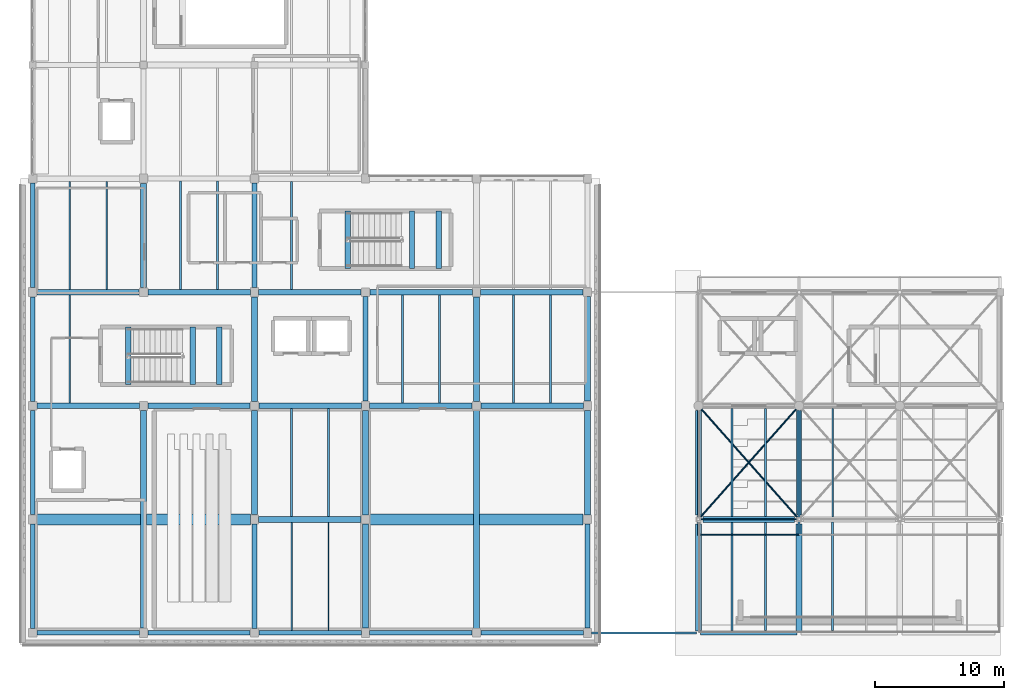
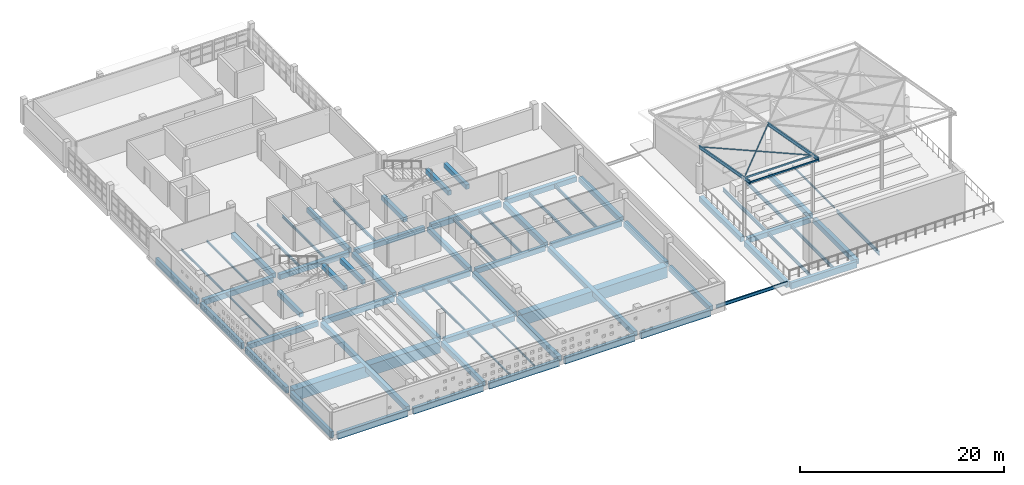
# One storey, part 5 of 34: 69 beams, 6 members.
"""IFC4 building model written with IfcOpenShell, lengths in metres."""

import ifcopenshell
import ifcopenshell.guid

model = None  # the IFC model being written
_history = None  # IfcOwnerHistory: only IFC2X3 demands one
_inside = {}  # id of a spatial element -> (the spatial element, [elements in it])
_under = {}  # id of a project, library or spatial element -> (it, [spatial elements below it])
_declared = {}  # id of a project -> (the project, [libraries it declares])
_typed = {}  # id of a type object -> (the type object, [elements of that type])
_made_of = {}  # id of a material, layer set ... -> (it, [elements and type objects made of it])


def new_model(schema):
    """Start an empty IFC model of exactly this schema.

    Asked for "IFC4X3", IfcOpenShell would pick the latest addendum, in which some entities
    have other attributes; the version numbers below select the first issue.
    IFC2X3 requires an IfcOwnerHistory on every rooted entity: one is made here for all.
    """
    global model, _history
    if schema == "IFC4X3":
        model = ifcopenshell.file(schema_version=(4, 3, 0, 0))
    else:
        model = ifcopenshell.file(schema=schema)
    _inside.clear()
    _under.clear()
    _declared.clear()
    _typed.clear()
    _made_of.clear()
    _history = None
    if model.schema == "IFC2X3":
        org = make("IfcOrganization", Name="unknown")
        user = make(
            "IfcPersonAndOrganization",
            ThePerson=make("IfcPerson", FamilyName="unknown"),
            TheOrganization=org,
        )
        app = make(
            "IfcApplication",
            ApplicationDeveloper=org,
            Version="unknown",
            ApplicationFullName="unknown",
            ApplicationIdentifier="unknown",
        )
        _history = make(
            "IfcOwnerHistory",
            OwningUser=user,
            OwningApplication=app,
            ChangeAction="ADDED",
            CreationDate=0,
        )
    return model


def make(cls, **values):
    """One entity of the class cls with the attributes given. An attribute that is None is left unset."""
    return model.create_entity(
        cls, **{name: value for name, value in values.items() if value is not None}
    )


def rooted(cls, **values):
    """An entity with a GlobalId (a new one), such as an element, a storey or a relation."""
    return make(cls, GlobalId=ifcopenshell.guid.new(), OwnerHistory=_history, **values)


def si_unit(unit_type, name, prefix=None):
    """IfcSIUnit, for example si_unit("LENGTHUNIT", "METRE", prefix="MILLI")."""
    return make("IfcSIUnit", UnitType=unit_type, Prefix=prefix, Name=name)


def assignment(units):
    """IfcUnitAssignment: the units of a project."""
    return None if units is None else make("IfcUnitAssignment", Units=units)


def point(xyz):
    """IfcCartesianPoint."""
    return None if xyz is None else make("IfcCartesianPoint", Coordinates=xyz)


def direction(xyz):
    """IfcDirection."""
    return None if xyz is None else make("IfcDirection", DirectionRatios=xyz)


def frame(location, z_axis=None, x_axis=None):
    """IfcAxis2Placement3D, a coordinate frame: its origin and axes. An axis left out is left unset."""
    return make(
        "IfcAxis2Placement3D",
        Location=point(location),
        Axis=direction(z_axis),
        RefDirection=direction(x_axis),
    )


def frame_2d(location, x_axis=None):
    """IfcAxis2Placement2D, a coordinate frame in the plane: its origin and x axis."""
    return make(
        "IfcAxis2Placement2D", Location=point(location), RefDirection=direction(x_axis)
    )


def origin():
    """The frame at (0, 0, 0) with its axes left unset."""
    return frame((0.0, 0.0, 0.0))


def origin_2d():
    """The frame at (0, 0) in the plane with its x axis left unset."""
    return frame_2d((0.0, 0.0))


def place(relative_to, where):
    """IfcLocalPlacement: puts the frame where relative to a parent placement (None: the world)."""
    return make(
        "IfcLocalPlacement", PlacementRelTo=relative_to, RelativePlacement=where
    )


def context(
    kind, dimensions, precision=None, world=None, true_north=None, identifier=None
):
    """IfcGeometricRepresentationContext, for example the 3D "Model" context."""
    return make(
        "IfcGeometricRepresentationContext",
        ContextIdentifier=identifier,
        ContextType=kind,
        CoordinateSpaceDimension=dimensions,
        Precision=precision,
        WorldCoordinateSystem=world,
        TrueNorth=true_north,
    )


def subcontext(parent, identifier, kind, view, scale=None):
    """IfcGeometricRepresentationSubContext, for example "Body" below "Model"."""
    return make(
        "IfcGeometricRepresentationSubContext",
        ContextIdentifier=identifier,
        ContextType=kind,
        ParentContext=parent,
        TargetScale=scale,
        TargetView=view,
    )


def project(units=None, contexts=None):
    """IfcProject with its units and contexts."""
    return rooted(
        "IfcProject",
        Name="project",
        RepresentationContexts=contexts,
        UnitsInContext=assignment(units),
    )


def spatial(cls, under=None, at=None, **own):
    """A site, building, storey or space (cls), placed at a placement, below another one or the project."""
    s = rooted(cls, ObjectPlacement=at, **own)
    if under is not None:
        _under.setdefault(under.id(), (under, []))[1].append(s)
    return s


def profile(cls, at=None, kind="AREA", **sizes):
    """A parametric profile (cls). Its sizes go by their IFC names, for example OverallWidth=200.0."""
    return make(cls, ProfileType=kind, Position=at, **sizes)


def rectangle(**sizes):
    """IfcRectangleProfileDef."""
    return profile("IfcRectangleProfileDef", **sizes)


def hollow_rectangle(**sizes):
    """IfcRectangleHollowProfileDef."""
    return profile("IfcRectangleHollowProfileDef", **sizes)


def hollow_circle(**sizes):
    """IfcCircleHollowProfileDef."""
    return profile("IfcCircleHollowProfileDef", **sizes)


def i_section(**sizes):
    """IfcIShapeProfileDef."""
    return profile("IfcIShapeProfileDef", **sizes)


def extrude(swept, where, along, depth):
    """IfcExtrudedAreaSolid: the profile swept, set in the frame where, extruded along a direction by depth."""
    return make(
        "IfcExtrudedAreaSolid",
        SweptArea=swept,
        Position=where,
        ExtrudedDirection=direction(along),
        Depth=depth,
    )


def shape(context_of_items, identifier, shape_type, items):
    """IfcShapeRepresentation: the items that make up one representation, for example the "Body"."""
    return make(
        "IfcShapeRepresentation",
        ContextOfItems=context_of_items,
        RepresentationIdentifier=identifier,
        RepresentationType=shape_type,
        Items=items,
    )


def material(Name=None, Category=None):
    """IfcMaterial."""
    return make("IfcMaterial", Name=Name, Category=Category)


def material_profile(
    of_material, cross_section, Name=None, Category=None, Priority=None
):
    """IfcMaterialProfile: a cross section and its material."""
    return make(
        "IfcMaterialProfile",
        Name=Name,
        Material=of_material,
        Profile=cross_section,
        Priority=Priority,
        Category=Category,
    )


def profile_set(profiles, Name=None, composite=None):
    """IfcMaterialProfileSet."""
    return make(
        "IfcMaterialProfileSet",
        Name=Name,
        MaterialProfiles=profiles,
        CompositeProfile=composite,
    )


def made_of(thing, what):
    """Note that an element or type object is made of a material, layer set ...; save() writes the relation."""
    if what is not None:
        _made_of.setdefault(what.id(), (what, []))[1].append(thing)
    return thing


def type_object(cls, material=None, **own):
    """A type object (cls), such as IfcWallType, which elements share."""
    return made_of(rooted(cls, **own), material)


def element(
    cls,
    number,
    at=None,
    inside=None,
    cuts=None,
    type_object=None,
    material=None,
    context=None,
    identifier="Body",
    shape_type=None,
    held_by="IfcProductDefinitionShape",
    body=None,
    shapes=None,
    **own,
):
    """One element of the class cls, such as IfcWall. Its Tag is "e" and its number.

    at: its placement. inside: the storey or other place that contains it. cuts: it is an
    opening in that element (IfcRelVoidsElement). A single representation is given by context,
    identifier, shape_type and body (its items); several are given by shapes. held_by: the class
    of the entity that holds the representations. save() writes the other relations.
    """
    e = rooted(cls, Tag="e%d" % number, ObjectPlacement=at, **own)
    if body is not None:
        shapes = [shape(context, identifier, shape_type, body)]
    if shapes is not None:
        e.Representation = make(held_by, Representations=shapes)
    if inside is not None:
        _inside.setdefault(inside.id(), (inside, []))[1].append(e)
    if cuts is not None:
        rooted(
            "IfcRelVoidsElement", RelatingBuildingElement=cuts, RelatedOpeningElement=e
        )
    if type_object is not None:
        _typed.setdefault(type_object.id(), (type_object, []))[1].append(e)
    return made_of(e, material)


def aggregate(whole, parts):
    """IfcRelAggregates: a whole, such as a stair, and the parts it consists of."""
    return rooted("IfcRelAggregates", RelatingObject=whole, RelatedObjects=parts)


def save(model, path):
    """Write the relations noted so far, then the file.

    IfcRelAggregates (storeys below a building ...), IfcRelContainedInSpatialStructure (elements
    in a storey), IfcRelDefinesByType, IfcRelAssociatesMaterial and IfcRelDeclares: one each for
    every whole, place, type object, material and project.
    """
    for whole, parts in _under.values():
        aggregate(whole, parts)
    for where, things in _inside.values():
        rooted(
            "IfcRelContainedInSpatialStructure",
            RelatedElements=things,
            RelatingStructure=where,
        )
    for kind, things in _typed.values():
        rooted("IfcRelDefinesByType", RelatedObjects=things, RelatingType=kind)
    for what, things in _made_of.values():
        rooted("IfcRelAssociatesMaterial", RelatedObjects=things, RelatingMaterial=what)
    for by, libraries in _declared.values():
        rooted("IfcRelDeclares", RelatingContext=by, RelatedDefinitions=libraries)
    model.write(path)


model = new_model("IFC4")

# Units and contexts
model_context = context("Model", 3, precision=1e-05, world=origin(), true_north=direction((0.0, 1.0)))
body_context = subcontext(model_context, "Body", "Model", "MODEL_VIEW")
ifc_project = project(units=[si_unit("LENGTHUNIT", "METRE"), si_unit("AREAUNIT", "SQUARE_METRE"), si_unit("VOLUMEUNIT", "CUBIC_METRE"), si_unit("PLANEANGLEUNIT", "RADIAN"), si_unit("MASSUNIT", "GRAM", prefix="KILO")], contexts=[model_context])

# Site, building, storey
site_placement = place(None, origin())
site = spatial("IfcSite", under=ifc_project, at=site_placement, CompositionType="ELEMENT")
building_placement = place(site_placement, origin())
building = spatial("IfcBuilding", under=site, at=building_placement, Name="Varnakota Cinema and Media Centre", CompositionType="ELEMENT")
storey_placement = place(building_placement, frame((0.0, 0.0, 19.050048828125)))
storey = spatial("IfcBuildingStorey", under=building, at=storey_placement, Name="L05", CompositionType="ELEMENT", Elevation=19.050048828125)

# Beams
ifc_material_1 = material(Name="Concrete M35", Category="concrete")
ifc_material_profile_1 = material_profile(ifc_material_1, rectangle(XDim=0.39990234375, YDim=0.550048828125, at=origin_2d()), Name="RCB 400x550")
ifc_profile_set_1 = profile_set([ifc_material_profile_1], Name="Concrete M35")
beam_type_1 = type_object("IfcBeamType", Name="BM-RC-400x550", PredefinedType="BEAM", material=ifc_profile_set_1)
for number, where, z_axis, x_axis, name in (
    (1, (12.40966796875, 19.25, 1.175048828125), (0.0, 1.0, 0.0), (-1.0, 0.0, 0.0), "L05 ST-01 landing support beam 1"),
    (2, (14.470458984375, 19.25, 1.175048828125), (0.0, 1.0, 0.0), (-1.0, 0.0, 0.0), "L05 ST-01 landing support beam 2"),
    (3, (29.40966796875, 28.25, 1.175048828125), (0.0, 1.0, 0.0), (-1.0, 0.0, 0.0), "L05 ST-02 landing support beam 1"),
    (4, (31.470458984375, 28.25, 1.175048828125), (0.0, 1.0, 0.0), (-1.0, 0.0, 0.0), "L05 ST-02 landing support beam 2"),
):
    element("IfcBeam", number, at=place(storey_placement, frame(where, z_axis=z_axis, x_axis=x_axis)), inside=storey, type_object=beam_type_1, Name=name, PredefinedType="BEAM", context=body_context, shape_type="SweptSolid", body=[
        extrude(rectangle(XDim=0.39990234375, YDim=0.550048828125, at=origin_2d()), origin(), (0.0, 0.0, 1.0), 4.449951171875),
    ])
ifc_material_2 = material(Name="Concrete M35", Category="concrete")
ifc_material_profile_2 = material_profile(ifc_material_2, rectangle(XDim=0.39990234375, YDim=0.60009765625, at=origin_2d()), Name="RCB 400x600")
ifc_profile_set_2 = profile_set([ifc_material_profile_2], Name="Concrete M35")
beam_type_2 = type_object("IfcBeamType", Name="BM-RC-400x600", PredefinedType="BEAM", material=ifc_profile_set_2)
beam_1_placement = place(storey_placement, frame((0.35009765625, 17.60009765625, -0.550048828125), z_axis=(1.0, 0.0, 0.0), x_axis=(0.0, 1.0, 0.0)))
element("IfcBeam", 5, at=beam_1_placement, inside=storey, type_object=beam_type_2, Name="L05 girder A-B/3", PredefinedType="BEAM", context=body_context, shape_type="SweptSolid", body=[
    extrude(rectangle(XDim=0.39990234375, YDim=0.60009765625, at=origin_2d()), origin(), (0.0, 0.0, 1.0), 7.9248046875),
])
for number, where, z_axis, x_axis, name in (
    (6, (26.125, 17.60009765625, -0.550048828125), (1.0, 0.0, 0.0), (0.0, 1.0, 0.0), "L05 girder D-E/3"),
    (7, (17.52490234375, 26.39990234375, -0.550048828125), (1.0, 0.0, 0.0), (0.0, 1.0, 0.0), "L05 girder C-D/4"),
):
    element("IfcBeam", number, at=place(storey_placement, frame(where, z_axis=z_axis, x_axis=x_axis)), inside=storey, type_object=beam_type_2, Name=name, PredefinedType="BEAM", context=body_context, shape_type="SweptSolid", body=[
        extrude(rectangle(XDim=0.39990234375, YDim=0.60009765625, at=origin_2d()), origin(), (0.0, 0.0, 1.0), 7.925048828125),
    ])
beam_2_placement = place(storey_placement, frame((17.199951171875, 0.35009765625, -0.550048828125), z_axis=(0.0, 1.0, 0.0), x_axis=(-1.0, 0.0, 0.0)))
element("IfcBeam", 8, at=beam_2_placement, inside=storey, type_object=beam_type_2, Name="L05 girder C/1-2", PredefinedType="BEAM", context=body_context, shape_type="SweptSolid", body=[
    extrude(rectangle(XDim=0.39990234375, YDim=0.60009765625, at=origin_2d()), origin(), (0.0, 0.0, 1.0), 8.074951171875),
])
beam_3_placement = place(storey_placement, frame((17.199951171875, 26.77490234375, -0.550048828125), z_axis=(0.0, 1.0, 0.0), x_axis=(-1.0, 0.0, 0.0)))
element("IfcBeam", 9, at=beam_3_placement, inside=storey, type_object=beam_type_2, Name="L05 girder C/4-5", PredefinedType="BEAM", context=body_context, shape_type="SweptSolid", body=[
    extrude(rectangle(XDim=0.39990234375, YDim=0.60009765625, at=origin_2d()), origin(), (0.0, 0.0, 1.0), 8.0751953125),
])
for number, where, z_axis, x_axis, name in (
    (10, (25.800048828125, 17.97509765625, -0.550048828125), (0.0, 1.0, 0.0), (-1.0, 0.0, 0.0), "L05 girder D/3-4"),
    (11, (43.0, 0.375, -0.550048828125), (0.0, 1.0, 0.0), (-1.0, 0.0, 0.0), "L05 girder F/1-2"),
):
    element("IfcBeam", number, at=place(storey_placement, frame(where, z_axis=z_axis, x_axis=x_axis)), inside=storey, type_object=beam_type_2, Name=name, PredefinedType="BEAM", context=body_context, shape_type="SweptSolid", body=[
        extrude(rectangle(XDim=0.39990234375, YDim=0.60009765625, at=origin_2d()), origin(), (0.0, 0.0, 1.0), 8.074951171875),
    ])
beam_4_placement = place(storey_placement, frame((59.39990234375, 9.14990234375, -0.550048828125), z_axis=(0.0, 1.0, 0.0), x_axis=(-1.0, 0.0, 0.0)))
element("IfcBeam", 12, at=beam_4_placement, inside=storey, type_object=beam_type_2, Name="L05 girder H/2-3", PredefinedType="BEAM", context=body_context, shape_type="SweptSolid", body=[
    extrude(rectangle(XDim=0.39990234375, YDim=0.60009765625, at=origin_2d()), origin(), (0.0, 0.0, 1.0), 8.10009765625),
])
ifc_material_3 = material(Name="Concrete M40", Category="concrete")
ifc_material_profile_3 = material_profile(ifc_material_3, rectangle(XDim=0.449951171875, YDim=0.550048828125, at=origin_2d()), Name="RCB 450x550")
ifc_profile_set_3 = profile_set([ifc_material_profile_3], Name="Concrete M40")
beam_type_3 = type_object("IfcBeamType", Name="BM-RC-450x550", PredefinedType="BEAM", material=ifc_profile_set_3)
for number, where, z_axis, x_axis, name in (
    (13, (7.419921875, 19.25, -0.275146484375), (0.0, 1.0, 0.0), (-1.0, 0.0, 0.0), "L05 ST-01 stair arrival trimmer beam"),
    (14, (24.419921875, 28.25, -0.275146484375), (0.0, 1.0, 0.0), (-1.0, 0.0, 0.0), "L05 ST-02 stair arrival trimmer beam"),
):
    element("IfcBeam", number, at=place(storey_placement, frame(where, z_axis=z_axis, x_axis=x_axis)), inside=storey, type_object=beam_type_3, Name=name, PredefinedType="BEAM", context=body_context, shape_type="SweptSolid", body=[
        extrude(rectangle(XDim=0.449951171875, YDim=0.550048828125, at=origin_2d()), origin(), (0.0, 0.0, 1.0), 4.449951171875),
    ])
ifc_material_4 = material(Name="Concrete M35", Category="concrete")
ifc_material_profile_4 = material_profile(ifc_material_4, rectangle(XDim=0.449951171875, YDim=0.60009765625, at=origin_2d()), Name="RCB 450x600")
ifc_profile_set_4 = profile_set([ifc_material_profile_4], Name="Concrete M35")
beam_type_4 = type_object("IfcBeamType", Name="BM-RC-450x600", PredefinedType="BEAM", material=ifc_profile_set_4)
beam_5_placement = place(storey_placement, frame((51.949951171875, 8.800048828125, -0.550048828125), z_axis=(1.0, 0.0, 0.0), x_axis=(0.0, 1.0, 0.0)))
element("IfcBeam", 15, at=beam_5_placement, inside=storey, type_object=beam_type_4, Name="L05 girder G-H/2", PredefinedType="BEAM", context=body_context, shape_type="SweptSolid", body=[
    extrude(rectangle(XDim=0.449951171875, YDim=0.60009765625, at=origin_2d()), origin(), (0.0, 0.0, 1.0), 7.10009765625),
])
for number, where, z_axis, x_axis, name in (
    (16, (17.550048828125, 17.60009765625, -0.550048828125), (1.0, 0.0, 0.0), (0.0, 1.0, 0.0), "L05 girder C-D/3"),
    (17, (8.949951171875, 26.39990234375, -0.550048828125), (1.0, 0.0, 0.0), (0.0, 1.0, 0.0), "L05 girder B-C/4"),
):
    element("IfcBeam", number, at=place(storey_placement, frame(where, z_axis=z_axis, x_axis=x_axis)), inside=storey, type_object=beam_type_4, Name=name, PredefinedType="BEAM", context=body_context, shape_type="SweptSolid", body=[
        extrude(rectangle(XDim=0.449951171875, YDim=0.60009765625, at=origin_2d()), origin(), (0.0, 0.0, 1.0), 7.925048828125),
    ])
beam_6_placement = place(storey_placement, frame((34.72509765625, 26.39990234375, -0.550048828125), z_axis=(1.0, 0.0, 0.0), x_axis=(0.0, 1.0, 0.0)))
element("IfcBeam", 18, at=beam_6_placement, inside=storey, type_object=beam_type_4, Name="L05 girder E-F/4", PredefinedType="BEAM", context=body_context, shape_type="SweptSolid", body=[
    extrude(rectangle(XDim=0.449951171875, YDim=0.60009765625, at=origin_2d()), origin(), (0.0, 0.0, 1.0), 7.9248046875),
])
beam_7_placement = place(storey_placement, frame((8.60009765625, 0.375, -0.550048828125), z_axis=(0.0, 1.0, 0.0), x_axis=(-1.0, 0.0, 0.0)))
element("IfcBeam", 19, at=beam_7_placement, inside=storey, type_object=beam_type_4, Name="L05 girder B/1-3", PredefinedType="BEAM", context=body_context, shape_type="SweptSolid", body=[
    extrude(rectangle(XDim=0.449951171875, YDim=0.60009765625, at=origin_2d()), origin(), (0.0, 0.0, 1.0), 16.85009765625),
])
for number, where, z_axis, x_axis, name in (
    (20, (8.60009765625, 26.75, -0.550048828125), (0.0, 1.0, 0.0), (-1.0, 0.0, 0.0), "L05 girder B/4-5"),
    (21, (17.199951171875, 17.949951171875, -0.550048828125), (0.0, 1.0, 0.0), (-1.0, 0.0, 0.0), "L05 girder C/3-4"),
):
    element("IfcBeam", number, at=place(storey_placement, frame(where, z_axis=z_axis, x_axis=x_axis)), inside=storey, type_object=beam_type_4, Name=name, PredefinedType="BEAM", context=body_context, shape_type="SweptSolid", body=[
        extrude(rectangle(XDim=0.449951171875, YDim=0.60009765625, at=origin_2d()), origin(), (0.0, 0.0, 1.0), 8.074951171875),
    ])
beam_8_placement = place(storey_placement, frame((25.800048828125, 9.14990234375, -0.550048828125), z_axis=(0.0, 1.0, 0.0), x_axis=(-1.0, 0.0, 0.0)))
element("IfcBeam", 22, at=beam_8_placement, inside=storey, type_object=beam_type_4, Name="L05 girder D/2-3", PredefinedType="BEAM", context=body_context, shape_type="SweptSolid", body=[
    extrude(rectangle(XDim=0.449951171875, YDim=0.60009765625, at=origin_2d()), origin(), (0.0, 0.0, 1.0), 8.0751953125),
])
beam_9_placement = place(storey_placement, frame((34.39990234375, 0.35009765625, -0.550048828125), z_axis=(0.0, 1.0, 0.0), x_axis=(-1.0, 0.0, 0.0)))
element("IfcBeam", 23, at=beam_9_placement, inside=storey, type_object=beam_type_4, Name="L05 girder E/1-3", PredefinedType="BEAM", context=body_context, shape_type="SweptSolid", body=[
    extrude(rectangle(XDim=0.449951171875, YDim=0.60009765625, at=origin_2d()), origin(), (0.0, 0.0, 1.0), 16.89990234375),
])
beam_10_placement = place(storey_placement, frame((43.0, 17.97509765625, -0.550048828125), z_axis=(0.0, 1.0, 0.0), x_axis=(-1.0, 0.0, 0.0)))
element("IfcBeam", 24, at=beam_10_placement, inside=storey, type_object=beam_type_4, Name="L05 girder F/3-4", PredefinedType="BEAM", context=body_context, shape_type="SweptSolid", body=[
    extrude(rectangle(XDim=0.449951171875, YDim=0.60009765625, at=origin_2d()), origin(), (0.0, 0.0, 1.0), 8.074951171875),
])
beam_11_placement = place(storey_placement, frame((51.60009765625, 9.14990234375, -0.550048828125), z_axis=(0.0, 1.0, 0.0), x_axis=(-1.0, 0.0, 0.0)))
element("IfcBeam", 25, at=beam_11_placement, inside=storey, type_object=beam_type_4, Name="L05 girder G/2-3", PredefinedType="BEAM", context=body_context, shape_type="SweptSolid", body=[
    extrude(rectangle(XDim=0.449951171875, YDim=0.60009765625, at=origin_2d()), origin(), (0.0, 0.0, 1.0), 8.10009765625),
])
beam_12_placement = place(storey_placement, frame((59.39990234375, 0.162109375, -0.550048828125), z_axis=(0.0, 1.0, 0.0), x_axis=(-1.0, 0.0, 0.0)))
element("IfcBeam", 26, at=beam_12_placement, inside=storey, type_object=beam_type_4, Name="L05 girder H/1-2", PredefinedType="BEAM", context=body_context, shape_type="SweptSolid", body=[
    extrude(rectangle(XDim=0.449951171875, YDim=0.60009765625, at=origin_2d()), origin(), (0.0, 0.0, 1.0), 8.287841796875),
])
ifc_material_5 = material(Name="Concrete M35", Category="concrete")
ifc_material_profile_5 = material_profile(ifc_material_5, rectangle(XDim=0.449951171875, YDim=0.64990234375, at=origin_2d()), Name="RCB 450x650")
ifc_profile_set_5 = profile_set([ifc_material_profile_5], Name="Concrete M35")
beam_type_5 = type_object("IfcBeamType", Name="BM-RC-450x650", PredefinedType="BEAM", material=ifc_profile_set_5)
for number, where, z_axis, x_axis, name in (
    (27, (17.52490234375, 8.800048828125, -0.574951171875), (1.0, 0.0, 0.0), (0.0, 1.0, 0.0), "L05 girder C-D/2"),
    (28, (8.925048828125, 17.60009765625, -0.574951171875), (1.0, 0.0, 0.0), (0.0, 1.0, 0.0), "L05 girder B-C/3"),
    (29, (34.75, 17.60009765625, -0.574951171875), (1.0, 0.0, 0.0), (0.0, 1.0, 0.0), "L05 girder E-F/3"),
    (30, (0.324951171875, 26.39990234375, -0.574951171875), (1.0, 0.0, 0.0), (0.0, 1.0, 0.0), "L05 girder A-B/4"),
    (31, (26.14990234375, 26.39990234375, -0.574951171875), (1.0, 0.0, 0.0), (0.0, 1.0, 0.0), "L05 girder D-E/4"),
):
    element("IfcBeam", number, at=place(storey_placement, frame(where, z_axis=z_axis, x_axis=x_axis)), inside=storey, type_object=beam_type_5, Name=name, PredefinedType="BEAM", context=body_context, shape_type="SweptSolid", body=[
        extrude(rectangle(XDim=0.449951171875, YDim=0.64990234375, at=origin_2d()), origin(), (0.0, 0.0, 1.0), 7.925048828125),
    ])
for number, where, z_axis, x_axis, name in (
    (32, (17.199951171875, 9.175048828125, -0.574951171875), (0.0, 1.0, 0.0), (-1.0, 0.0, 0.0), "L05 girder C/2-3"),
    (33, (25.800048828125, 0.375, -0.574951171875), (0.0, 1.0, 0.0), (-1.0, 0.0, 0.0), "L05 girder D/1-2"),
    (34, (34.39990234375, 17.949951171875, -0.574951171875), (0.0, 1.0, 0.0), (-1.0, 0.0, 0.0), "L05 girder E/3-4"),
):
    element("IfcBeam", number, at=place(storey_placement, frame(where, z_axis=z_axis, x_axis=x_axis)), inside=storey, type_object=beam_type_5, Name=name, PredefinedType="BEAM", context=body_context, shape_type="SweptSolid", body=[
        extrude(rectangle(XDim=0.449951171875, YDim=0.64990234375, at=origin_2d()), origin(), (0.0, 0.0, 1.0), 8.074951171875),
    ])
beam_13_placement = place(storey_placement, frame((43.0, 9.14990234375, -0.574951171875), z_axis=(0.0, 1.0, 0.0), x_axis=(-1.0, 0.0, 0.0)))
element("IfcBeam", 35, at=beam_13_placement, inside=storey, type_object=beam_type_5, Name="L05 girder F/2-3", PredefinedType="BEAM", context=body_context, shape_type="SweptSolid", body=[
    extrude(rectangle(XDim=0.449951171875, YDim=0.64990234375, at=origin_2d()), origin(), (0.0, 0.0, 1.0), 8.0751953125),
])
beam_14_placement = place(storey_placement, frame((51.60009765625, 0.162109375, -0.574951171875), z_axis=(0.0, 1.0, 0.0), x_axis=(-1.0, 0.0, 0.0)))
element("IfcBeam", 36, at=beam_14_placement, inside=storey, type_object=beam_type_5, Name="L05 girder G/1-2", PredefinedType="BEAM", context=body_context, shape_type="SweptSolid", body=[
    extrude(rectangle(XDim=0.449951171875, YDim=0.64990234375, at=origin_2d()), origin(), (0.0, 0.0, 1.0), 8.287841796875),
])
ifc_material_6 = material(Name="Concrete M40", Category="concrete")
ifc_material_profile_6 = material_profile(ifc_material_6, rectangle(XDim=0.35009765625, YDim=0.75, at=origin_2d()), Name="RCB 350x750")
ifc_profile_set_6 = profile_set([ifc_material_profile_6], Name="Concrete M40")
beam_type_6 = type_object("IfcBeamType", Name="BM-SP-350x750", PredefinedType="SPANDREL", material=ifc_profile_set_6)
beam_15_placement = place(storey_placement, frame((0.35009765625, 0.0, -0.625), z_axis=(1.0, 0.0, 0.0), x_axis=(0.0, 1.0, 0.0)))
element("IfcBeam", 37, at=beam_15_placement, inside=storey, type_object=beam_type_6, Name="L05 girder A-B/1", PredefinedType="SPANDREL", context=body_context, shape_type="SweptSolid", body=[
    extrude(rectangle(XDim=0.35009765625, YDim=0.75, at=origin_2d()), origin(), (0.0, 0.0, 1.0), 7.9248046875),
])
for number, where, z_axis, x_axis, name in (
    (38, (8.925048828125, 0.0, -0.625), (1.0, 0.0, 0.0), (0.0, 1.0, 0.0), "L05 girder B-C/1"),
    (39, (17.550048828125, 0.0, -0.625), (1.0, 0.0, 0.0), (0.0, 1.0, 0.0), "L05 girder C-D/1"),
    (40, (26.125, 0.0, -0.625), (1.0, 0.0, 0.0), (0.0, 1.0, 0.0), "L05 girder D-E/1"),
    (41, (34.75, 0.0, -0.625), (1.0, 0.0, 0.0), (0.0, 1.0, 0.0), "L05 girder E-F/1"),
):
    element("IfcBeam", number, at=place(storey_placement, frame(where, z_axis=z_axis, x_axis=x_axis)), inside=storey, type_object=beam_type_6, Name=name, PredefinedType="SPANDREL", context=body_context, shape_type="SweptSolid", body=[
        extrude(rectangle(XDim=0.35009765625, YDim=0.75, at=origin_2d()), origin(), (0.0, 0.0, 1.0), 7.925048828125),
    ])
beam_16_placement = place(storey_placement, frame((51.761962890625, 0.0, -0.625), z_axis=(1.0, 0.0, 0.0), x_axis=(0.0, 1.0, 0.0)))
element("IfcBeam", 42, at=beam_16_placement, inside=storey, type_object=beam_type_6, Name="L05 girder G-H/1", PredefinedType="SPANDREL", context=body_context, shape_type="SweptSolid", body=[
    extrude(rectangle(XDim=0.35009765625, YDim=0.75, at=origin_2d()), origin(), (0.0, 0.0, 1.0), 7.47607421875),
])
for number, where, z_axis, x_axis, name in (
    (43, (0.0, 0.35009765625, -0.625), (0.0, 1.0, 0.0), (-1.0, 0.0, 0.0), "L05 girder A/1-2"),
    (44, (0.0, 9.175048828125, -0.625), (0.0, 1.0, 0.0), (-1.0, 0.0, 0.0), "L05 girder A/2-3"),
    (45, (0.0, 17.949951171875, -0.625), (0.0, 1.0, 0.0), (-1.0, 0.0, 0.0), "L05 girder A/3-4"),
):
    element("IfcBeam", number, at=place(storey_placement, frame(where, z_axis=z_axis, x_axis=x_axis)), inside=storey, type_object=beam_type_6, Name=name, PredefinedType="SPANDREL", context=body_context, shape_type="SweptSolid", body=[
        extrude(rectangle(XDim=0.35009765625, YDim=0.75, at=origin_2d()), origin(), (0.0, 0.0, 1.0), 8.074951171875),
    ])
beam_17_placement = place(storey_placement, frame((0.0, 26.77490234375, -0.625), z_axis=(0.0, 1.0, 0.0), x_axis=(-1.0, 0.0, 0.0)))
element("IfcBeam", 46, at=beam_17_placement, inside=storey, type_object=beam_type_6, Name="L05 girder A/4-5", PredefinedType="SPANDREL", context=body_context, shape_type="SweptSolid", body=[
    extrude(rectangle(XDim=0.35009765625, YDim=0.75, at=origin_2d()), origin(), (0.0, 0.0, 1.0), 8.0751953125),
])
ifc_material_7 = material(Name="Structural steel Grade 350 (E350)", Category="steel")
ifc_material_profile_7 = material_profile(ifc_material_7, i_section(OverallWidth=0.10009765625, OverallDepth=0.199951171875, WebThickness=0.005615234375, FlangeThickness=0.0107421875, FilletRadius=0.010986328125, at=origin_2d()), Name="ISMB 200")
ifc_profile_set_7 = profile_set([ifc_material_profile_7], Name="Structural steel Grade 350 (E350)")
beam_type_7 = type_object("IfcBeamType", Name="BM-ST-ISMB200", PredefinedType="JOIST", material=ifc_profile_set_7)
beam_18_placement = place(storey_placement, frame((62.0, 9.0, -0.35009765625), z_axis=(0.0, 1.0, 0.0), x_axis=(-1.0, 0.0, 0.0)))
element("IfcBeam", 47, at=beam_18_placement, inside=storey, type_object=beam_type_7, Name="L05 steel joist H-J/2-3 #1", PredefinedType="JOIST", context=body_context, shape_type="SweptSolid", body=[
    extrude(i_section(OverallWidth=0.10009765625, OverallDepth=0.199951171875, WebThickness=0.005615234375, FlangeThickness=0.0107421875, FilletRadius=0.010986328125, at=origin_2d()), origin(), (0.0, 0.0, 1.0), 8.375),
])
ifc_material_8 = material(Name="Structural steel Grade 350 (E350)", Category="steel")
ifc_material_profile_8 = material_profile(ifc_material_8, i_section(OverallWidth=0.110107421875, OverallDepth=0.22509765625, WebThickness=0.006591796875, FlangeThickness=0.01171875, FilletRadius=0.011962890625, at=origin_2d()), Name="ISMB 225")
ifc_profile_set_8 = profile_set([ifc_material_profile_8], Name="Structural steel Grade 350 (E350)")
beam_type_8 = type_object("IfcBeamType", Name="BM-ST-ISMB225", PredefinedType="JOIST", material=ifc_profile_set_8)
beam_19_placement = place(storey_placement, frame((2.86669921875, 17.800048828125, -0.362548828125), z_axis=(0.0, 1.0, 0.0), x_axis=(-1.0, 0.0, 0.0)))
element("IfcBeam", 48, at=beam_19_placement, inside=storey, type_object=beam_type_8, Name="L05 steel joist A-B/3-4 #1", PredefinedType="JOIST", context=body_context, shape_type="SweptSolid", body=[
    extrude(i_section(OverallWidth=0.110107421875, OverallDepth=0.22509765625, WebThickness=0.006591796875, FlangeThickness=0.01171875, FilletRadius=0.011962890625, at=origin_2d()), origin(), (0.0, 0.0, 1.0), 8.375),
])
for number, where, z_axis, x_axis, name in (
    (49, (20.066650390625, 0.175048828125, -0.362548828125), (0.0, 1.0, 0.0), (-1.0, 0.0, 0.0), "L05 steel joist C-D/1-2 #1"),
    (50, (22.933349609375, 0.175048828125, -0.362548828125), (0.0, 1.0, 0.0), (-1.0, 0.0, 0.0), "L05 steel joist C-D/1-2 #2"),
):
    element("IfcBeam", number, at=place(storey_placement, frame(where, z_axis=z_axis, x_axis=x_axis)), inside=storey, type_object=beam_type_8, Name=name, PredefinedType="JOIST", context=body_context, shape_type="SweptSolid", body=[
        extrude(i_section(OverallWidth=0.110107421875, OverallDepth=0.22509765625, WebThickness=0.006591796875, FlangeThickness=0.01171875, FilletRadius=0.011962890625, at=origin_2d()), origin(), (0.0, 0.0, 1.0), 8.39990234375),
    ])
ifc_material_9 = material(Name="Structural steel Grade 350 (E350)", Category="steel")
ifc_material_profile_9 = material_profile(ifc_material_9, i_section(OverallWidth=0.125, OverallDepth=0.25, WebThickness=0.0068359375, FlangeThickness=0.012451171875, FilletRadius=0.012939453125, at=origin_2d()), Name="ISMB 250")
ifc_profile_set_9 = profile_set([ifc_material_profile_9], Name="Structural steel Grade 350 (E350)")
beam_type_9 = type_object("IfcBeamType", Name="BM-ST-ISMB250", PredefinedType="JOIST", material=ifc_profile_set_9)
for number, where, z_axis, x_axis, name in (
    (51, (2.86669921875, 26.625, -0.375), (0.0, 1.0, 0.0), (-1.0, 0.0, 0.0), "L05 steel joist A-B/4-5 #1"),
    (52, (5.7333984375, 26.625, -0.375), (0.0, 1.0, 0.0), (-1.0, 0.0, 0.0), "L05 steel joist A-B/4-5 #2"),
    (53, (20.066650390625, 9.02490234375, -0.375), (0.0, 1.0, 0.0), (-1.0, 0.0, 0.0), "L05 steel joist C-D/2-3 #1"),
    (54, (22.933349609375, 9.02490234375, -0.375), (0.0, 1.0, 0.0), (-1.0, 0.0, 0.0), "L05 steel joist C-D/2-3 #2"),
):
    element("IfcBeam", number, at=place(storey_placement, frame(where, z_axis=z_axis, x_axis=x_axis)), inside=storey, type_object=beam_type_9, Name=name, PredefinedType="JOIST", context=body_context, shape_type="SweptSolid", body=[
        extrude(i_section(OverallWidth=0.125, OverallDepth=0.25, WebThickness=0.0068359375, FlangeThickness=0.012451171875, FilletRadius=0.012939453125, at=origin_2d()), origin(), (0.0, 0.0, 1.0), 8.35009765625),
    ])
ifc_material_10 = material(Name="Structural steel Grade 350 (E350)", Category="steel")
ifc_material_profile_10 = material_profile(ifc_material_10, i_section(OverallWidth=0.139892578125, OverallDepth=0.300048828125, WebThickness=0.0078125, FlangeThickness=0.01318359375, FilletRadius=0.013916015625, at=origin_2d()), Name="ISMB 300")
ifc_profile_set_10 = profile_set([ifc_material_profile_10], Name="Structural steel Grade 350 (E350)")
beam_type_10 = type_object("IfcBeamType", Name="BM-ST-ISMB300", PredefinedType="JOIST", material=ifc_profile_set_10)
for number, where, z_axis, x_axis, name in (
    (55, (11.466796875, 26.625, -0.400146484375), (0.0, 1.0, 0.0), (-1.0, 0.0, 0.0), "L05 steel joist B-C/4-5 #1"),
    (56, (14.333251953125, 26.625, -0.400146484375), (0.0, 1.0, 0.0), (-1.0, 0.0, 0.0), "L05 steel joist B-C/4-5 #2"),
):
    element("IfcBeam", number, at=place(storey_placement, frame(where, z_axis=z_axis, x_axis=x_axis)), inside=storey, type_object=beam_type_10, Name=name, PredefinedType="JOIST", context=body_context, shape_type="SweptSolid", body=[
        extrude(i_section(OverallWidth=0.139892578125, OverallDepth=0.300048828125, WebThickness=0.0078125, FlangeThickness=0.01318359375, FilletRadius=0.013916015625, at=origin_2d()), origin(), (0.0, 0.0, 1.0), 8.375),
    ])
ifc_material_11 = material(Name="Structural steel Grade 350 (E350)", Category="steel")
ifc_material_profile_11 = material_profile(ifc_material_11, i_section(OverallWidth=0.139892578125, OverallDepth=0.35009765625, WebThickness=0.008056640625, FlangeThickness=0.01416015625, FilletRadius=0.013916015625, at=origin_2d()), Name="ISMB 350")
ifc_profile_set_11 = profile_set([ifc_material_profile_11], Name="Structural steel Grade 350 (E350)")
beam_type_11 = type_object("IfcBeamType", Name="BM-ST-ISMB350", PredefinedType="JOIST", material=ifc_profile_set_11)
for number, where, z_axis, x_axis, name in (
    (57, (20.066650390625, 26.60009765625, -0.425048828125), (0.0, 1.0, 0.0), (-1.0, 0.0, 0.0), "L05 steel joist C-D/4-5 #1"),
    (58, (28.666748046875, 17.800048828125, -0.425048828125), (0.0, 1.0, 0.0), (-1.0, 0.0, 0.0), "L05 steel joist D-E/3-4 #1"),
    (59, (31.533203125, 17.800048828125, -0.425048828125), (0.0, 1.0, 0.0), (-1.0, 0.0, 0.0), "L05 steel joist D-E/3-4 #2"),
):
    element("IfcBeam", number, at=place(storey_placement, frame(where, z_axis=z_axis, x_axis=x_axis)), inside=storey, type_object=beam_type_11, Name=name, PredefinedType="JOIST", context=body_context, shape_type="SweptSolid", body=[
        extrude(i_section(OverallWidth=0.139892578125, OverallDepth=0.35009765625, WebThickness=0.008056640625, FlangeThickness=0.01416015625, FilletRadius=0.013916015625, at=origin_2d()), origin(), (0.0, 0.0, 1.0), 8.375),
    ])
ifc_material_12 = material(Name="Structural steel Grade 350 (E350)", Category="steel")
ifc_material_profile_12 = material_profile(ifc_material_12, i_section(OverallWidth=0.139892578125, OverallDepth=0.39990234375, WebThickness=0.0087890625, FlangeThickness=0.01611328125, FilletRadius=0.013916015625, at=origin_2d()), Name="ISMB 400")
ifc_profile_set_12 = profile_set([ifc_material_profile_12], Name="Structural steel Grade 350 (E350)")
beam_type_12 = type_object("IfcBeamType", Name="BM-ST-ISMB400", PredefinedType="JOIST", material=ifc_profile_set_12)
beam_20_placement = place(storey_placement, frame((43.324951171875, 0.0, -0.199951171875), z_axis=(1.0, 0.0, 0.0), x_axis=(0.0, 1.0, 0.0)))
element("IfcBeam", 60, at=beam_20_placement, inside=storey, type_object=beam_type_12, Name="L05 girder F-G/1", PredefinedType="JOIST", context=body_context, shape_type="SweptSolid", body=[
    extrude(i_section(OverallWidth=0.139892578125, OverallDepth=0.39990234375, WebThickness=0.0087890625, FlangeThickness=0.01611328125, FilletRadius=0.013916015625, at=origin_2d()), origin(), (0.0, 0.0, 1.0), 8.113037109375),
])
for number, where, z_axis, x_axis, name in (
    (61, (37.2666015625, 17.824951171875, -0.449951171875), (0.0, 1.0, 0.0), (-1.0, 0.0, 0.0), "L05 steel joist E-F/3-4 #1"),
    (62, (40.13330078125, 17.824951171875, -0.449951171875), (0.0, 1.0, 0.0), (-1.0, 0.0, 0.0), "L05 steel joist E-F/3-4 #2"),
):
    element("IfcBeam", number, at=place(storey_placement, frame(where, z_axis=z_axis, x_axis=x_axis)), inside=storey, type_object=beam_type_12, Name=name, PredefinedType="JOIST", context=body_context, shape_type="SweptSolid", body=[
        extrude(i_section(OverallWidth=0.139892578125, OverallDepth=0.39990234375, WebThickness=0.0087890625, FlangeThickness=0.01611328125, FilletRadius=0.013916015625, at=origin_2d()), origin(), (0.0, 0.0, 1.0), 8.35009765625),
    ])
for number, where, z_axis, x_axis, name in (
    (63, (54.199951171875, 0.175048828125, -0.449951171875), (0.0, 1.0, 0.0), (-1.0, 0.0, 0.0), "L05 steel joist G-H/1-2 #1"),
    (64, (56.800048828125, 0.175048828125, -0.449951171875), (0.0, 1.0, 0.0), (-1.0, 0.0, 0.0), "L05 steel joist G-H/1-2 #2"),
):
    element("IfcBeam", number, at=place(storey_placement, frame(where, z_axis=z_axis, x_axis=x_axis)), inside=storey, type_object=beam_type_12, Name=name, PredefinedType="JOIST", context=body_context, shape_type="SweptSolid", body=[
        extrude(i_section(OverallWidth=0.139892578125, OverallDepth=0.39990234375, WebThickness=0.0087890625, FlangeThickness=0.01611328125, FilletRadius=0.013916015625, at=origin_2d()), origin(), (0.0, 0.0, 1.0), 8.39990234375),
    ])
ifc_material_13 = material(Name="Structural steel Grade 350 (E350)", Category="steel")
ifc_material_profile_13 = material_profile(ifc_material_13, i_section(OverallWidth=0.14990234375, OverallDepth=0.449951171875, WebThickness=0.009521484375, FlangeThickness=0.017333984375, FilletRadius=0.014892578125, at=origin_2d()), Name="ISMB 450")
ifc_profile_set_13 = profile_set([ifc_material_profile_13], Name="Structural steel Grade 350 (E350)")
beam_type_13 = type_object("IfcBeamType", Name="BM-ST-ISMB450", PredefinedType="BEAM", material=ifc_profile_set_13)
for number, where, z_axis, x_axis, name in (
    (65, (54.199951171875, 9.02490234375, -0.47509765625), (0.0, 1.0, 0.0), (-1.0, 0.0, 0.0), "L05 steel joist G-H/2-3 #1"),
    (66, (56.800048828125, 9.02490234375, -0.47509765625), (0.0, 1.0, 0.0), (-1.0, 0.0, 0.0), "L05 steel joist G-H/2-3 #2"),
):
    element("IfcBeam", number, at=place(storey_placement, frame(where, z_axis=z_axis, x_axis=x_axis)), inside=storey, type_object=beam_type_13, Name=name, PredefinedType="BEAM", context=body_context, shape_type="SweptSolid", body=[
        extrude(i_section(OverallWidth=0.14990234375, OverallDepth=0.449951171875, WebThickness=0.009521484375, FlangeThickness=0.017333984375, FilletRadius=0.014892578125, at=origin_2d()), origin(), (0.0, 0.0, 1.0), 8.375),
    ])
beam_21_placement = place(storey_placement, frame((62.0, 0.175048828125, -0.47509765625), z_axis=(0.0, 1.0, 0.0), x_axis=(-1.0, 0.0, 0.0)))
element("IfcBeam", 67, at=beam_21_placement, inside=storey, type_object=beam_type_13, Name="L05 steel joist H-J/1-2 #1", PredefinedType="BEAM", context=body_context, shape_type="SweptSolid", body=[
    extrude(i_section(OverallWidth=0.14990234375, OverallDepth=0.449951171875, WebThickness=0.009521484375, FlangeThickness=0.017333984375, FilletRadius=0.014892578125, at=origin_2d()), origin(), (0.0, 0.0, 1.0), 8.425048828125),
])
ifc_material_14 = material(Name="Concrete M50", Category="concrete")
ifc_material_profile_14 = material_profile(ifc_material_14, rectangle(XDim=0.85009765625, YDim=1.35009765625, at=origin_2d()), Name="RCB 850x1350")
ifc_profile_set_14 = profile_set([ifc_material_profile_14], Name="Concrete M50")
beam_type_14 = type_object("IfcBeamType", Name="BM-TG-850x1350", PredefinedType="BEAM", material=ifc_profile_set_14)
beam_22_placement = place(storey_placement, frame((0.324951171875, 8.800048828125, -0.925048828125), z_axis=(1.0, 0.0, 0.0), x_axis=(0.0, 1.0, 0.0)))
element("IfcBeam", 68, at=beam_22_placement, inside=storey, type_object=beam_type_14, Name="L05 girder A-C/2", PredefinedType="BEAM", context=body_context, shape_type="SweptSolid", body=[
    extrude(rectangle(XDim=0.85009765625, YDim=1.35009765625, at=origin_2d()), origin(), (0.0, 0.0, 1.0), 16.550048828125),
])
beam_23_placement = place(storey_placement, frame((26.14990234375, 8.800048828125, -0.925048828125), z_axis=(1.0, 0.0, 0.0), x_axis=(0.0, 1.0, 0.0)))
element("IfcBeam", 69, at=beam_23_placement, inside=storey, type_object=beam_type_14, Name="L05 girder D-F/2", PredefinedType="BEAM", context=body_context, shape_type="SweptSolid", body=[
    extrude(rectangle(XDim=0.85009765625, YDim=1.35009765625, at=origin_2d()), origin(), (0.0, 0.0, 1.0), 16.5),
])

# Members
ifc_material_15 = material(Name="Structural steel S355 (YSt 355)", Category="steel")
ifc_material_profile_15 = material_profile(ifc_material_15, hollow_circle(Radius=0.06982421875, WallThickness=0.006103515625, at=origin_2d()), Name="CHS 139.7x6.0")
ifc_profile_set_15 = profile_set([ifc_material_profile_15], Name="Structural steel S355 (YSt 355)")
member_type_1 = type_object("IfcMemberType", Name="MEM-ST-CHS139_7x6_0", PredefinedType="CHORD", material=ifc_profile_set_15)
for number, where, z_axis, x_axis, name in (
    (70, (51.60009765625, 8.800048828125, 6.98388671875), (0.657359175927, 0.741658679614, -0.133496504739), (-0.748357010719, 0.663296151434, 0.0), "V3 canopy diagrid A 1.1"),
    (71, (59.39990234375, 8.800048828125, 6.98388671875), (-0.657359175927, 0.741658679614, -0.133496504739), (-0.748357010719, -0.663296151434, 0.0), "V3 canopy diagrid B 1.1"),
):
    element("IfcMember", number, at=place(storey_placement, frame(where, z_axis=z_axis, x_axis=x_axis)), inside=storey, type_object=member_type_1, Name=name, PredefinedType="CHORD", context=body_context, shape_type="SweptSolid", body=[
        extrude(hollow_circle(Radius=0.06982421875, WallThickness=0.006103515625, at=origin_2d()), origin(), (0.0, 0.0, 1.0), 11.865478515625),
    ])
ifc_material_16 = material(Name="Structural steel Grade 350 (E350)", Category="steel")
ifc_material_profile_16 = material_profile(ifc_material_16, i_section(OverallWidth=0.139892578125, OverallDepth=0.39990234375, WebThickness=0.0087890625, FlangeThickness=0.01611328125, FilletRadius=0.013916015625, at=origin_2d()), Name="ISMB 400")
ifc_profile_set_16 = profile_set([ifc_material_profile_16], Name="Structural steel Grade 350 (E350)")
member_type_2 = type_object("IfcMemberType", Name="MEM-ST-ISMB400", PredefinedType="RAFTER", material=ifc_profile_set_16)
for number, where, z_axis, x_axis, name in (
    (72, (51.60009765625, 7.60009765625, 7.199951171875), (0.0, 0.984182486105, -0.177157653077), (-1.0, 0.0, 0.0), "V3 amphitheatre canopy south rafter 1"),
    (73, (59.39990234375, 7.60009765625, 7.199951171875), (0.0, 0.984182486105, -0.177157653077), (-1.0, 0.0, 0.0), "V3 amphitheatre canopy south rafter 2"),
):
    element("IfcMember", number, at=place(storey_placement, frame(where, z_axis=z_axis, x_axis=x_axis)), inside=storey, type_object=member_type_2, Name=name, PredefinedType="RAFTER", context=body_context, shape_type="SweptSolid", body=[
        extrude(i_section(OverallWidth=0.139892578125, OverallDepth=0.39990234375, WebThickness=0.0087890625, FlangeThickness=0.01611328125, FilletRadius=0.013916015625, at=origin_2d()), origin(), (0.0, 0.0, 1.0), 10.16064453125),
    ])
ifc_material_17 = material(Name="Structural steel S355 (YSt 355)", Category="steel")
ifc_material_profile_17 = material_profile(ifc_material_17, hollow_rectangle(XDim=0.10009765625, YDim=0.199951171875, WallThickness=0.006103515625, InnerFilletRadius=0.006103515625, OuterFilletRadius=0.011962890625, at=origin_2d()), Name="RHS 200x100x6")
ifc_profile_set_17 = profile_set([ifc_material_profile_17], Name="Structural steel S355 (YSt 355)")
member_type_3 = type_object("IfcMemberType", Name="MEM-ST-RHS200x100x6", PredefinedType="PURLIN", material=ifc_profile_set_17)
for number, where, z_axis, x_axis, name in (
    (74, (51.60009765625, 7.60009765625, 7.199951171875), (1.0, 0.0, 0.0), (0.0, 1.0, 0.0), "V3 canopy purlin tie 1.7"),
    (75, (51.60009765625, 8.800048828125, 6.98388671875), (1.0, 0.0, 0.0), (0.0, 1.0, 0.0), "V3 canopy purlin tie 1.8"),
):
    element("IfcMember", number, at=place(storey_placement, frame(where, z_axis=z_axis, x_axis=x_axis)), inside=storey, type_object=member_type_3, Name=name, PredefinedType="PURLIN", context=body_context, shape_type="SweptSolid", body=[
        extrude(hollow_rectangle(XDim=0.10009765625, YDim=0.199951171875, WallThickness=0.006103515625, InnerFilletRadius=0.006103515625, OuterFilletRadius=0.011962890625, at=origin_2d()), origin(), (0.0, 0.0, 1.0), 7.7998046875),
    ])

save(model, "model.ifc")
